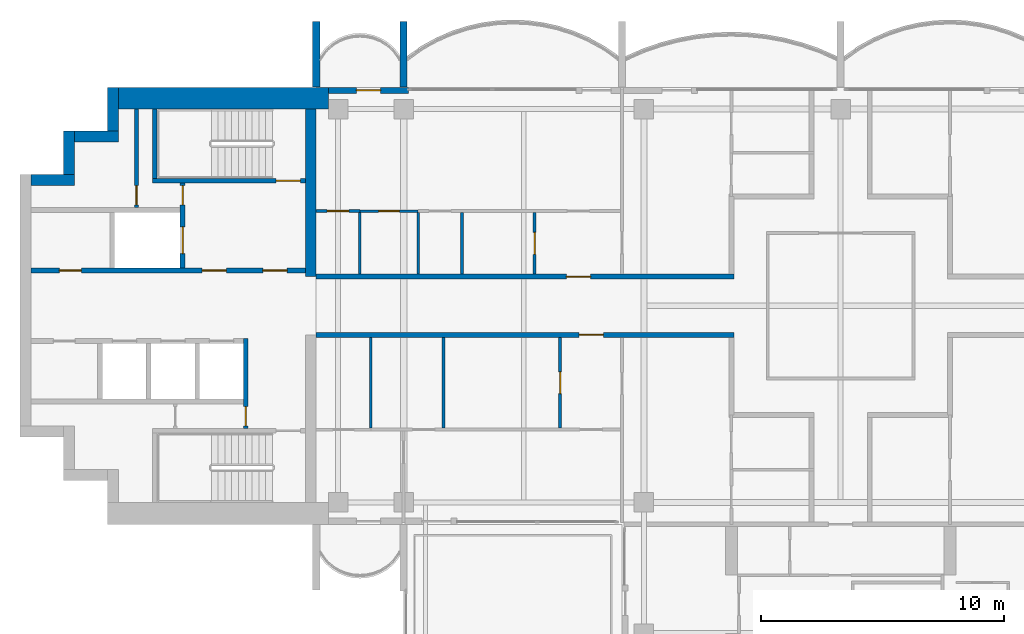
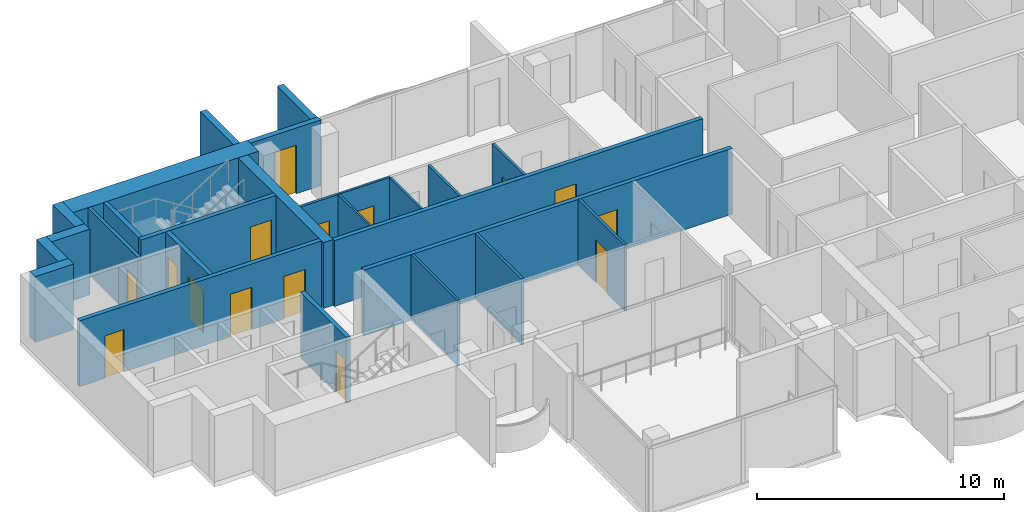
# One storey, part 8 of 16: 26 walls, 15 doors, 15 openings.
"""IFC4 building model written with IfcOpenShell, lengths in metres."""

from ifc_helpers import new_model, si_unit, direction, frame, frame_2d, origin, place, context, subcontext, project, spatial, rectangle, extrude, material, layer, layer_set, type_object, element, fill, save


model = new_model("IFC4")

# Units and contexts
model_context = context("Model", 3, precision=1e-05, world=origin(), true_north=direction((0.0, 1.0)))
body_context = subcontext(model_context, "Body", "Model", "MODEL_VIEW")
ifc_project = project(units=[si_unit("LENGTHUNIT", "METRE"), si_unit("AREAUNIT", "SQUARE_METRE"), si_unit("VOLUMEUNIT", "CUBIC_METRE"), si_unit("PLANEANGLEUNIT", "RADIAN"), si_unit("MASSUNIT", "GRAM", prefix="KILO")], contexts=[model_context])

# Site, building, storey
site_placement = place(None, origin())
site = spatial("IfcSite", under=ifc_project, at=site_placement, CompositionType="ELEMENT")
building_placement = place(site_placement, origin())
building = spatial("IfcBuilding", under=site, at=building_placement, Name="Perihelion Cross Residences", CompositionType="ELEMENT")
storey_placement = place(building_placement, frame((0.0, 0.0, 243.0)))
storey = spatial("IfcBuildingStorey", under=building, at=storey_placement, Name="L61", CompositionType="ELEMENT", Elevation=243.0)

# Wall, opening, door
ifc_material_1 = material(Name="Plasterboard partition")
ifc_layer_1 = layer(ifc_material_1, 0.199951171875)
ifc_layer_set_1 = layer_set([ifc_layer_1], Name="Apartment separation wall 200")
wall_type_1 = type_object("IfcWallType", Name="Apartment separation wall 200", PredefinedType="PARTITIONING", material=ifc_layer_set_1)
wall_1_placement = place(storey_placement, frame((-21.60009765625, 1.199951171875, 0.0), z_axis=(0.0, 0.0, 1.0), x_axis=(1.0, 0.0, 0.0)))
wall_1 = element("IfcWall", 1, at=wall_1_placement, inside=storey, type_object=wall_type_1, Name="Partition L61 W013", PredefinedType="PARTITIONING", context=body_context, shape_type="SweptSolid", body=[
    extrude(rectangle(XDim=17.2001953125, YDim=0.199951171875, at=frame_2d((8.60009765625, 0.0))), origin(), (0.0, 0.0, 1.0), 3.25),
])
opening_1_placement = place(wall_1_placement, frame((10.300048828125, 0.0, 0.0)))
opening_1 = element("IfcOpeningElement", 2, at=opening_1_placement, cuts=wall_1, Name="Opening L61.A40", PredefinedType="OPENING", context=body_context, shape_type="SweptSolid", body=[
    extrude(rectangle(XDim=1.0, YDim=2.10009765625, at=frame_2d((0.5, 1.050048828125))), frame((0.0, 0.10986328125, 0.0), z_axis=(0.0, -1.0, 0.0), x_axis=(1.0, 0.0, 0.0)), (0.0, 0.0, 1.0), 0.219970703125),
])
ifc_material_2 = material(Name="Timber door leaf", Category="wood")
door_type_1 = type_object("IfcDoorType", Name="Flat entrance door 1000 x 2100", OperationType="SINGLE_SWING_LEFT", PredefinedType="DOOR", material=ifc_material_2)
door_1_placement = place(opening_1_placement, origin())
door_1 = element("IfcDoor", 3, at=door_1_placement, inside=storey, type_object=door_type_1, Name="Door L61.A40", OperationType="SINGLE_SWING_RIGHT", OverallHeight=2.10009765625, OverallWidth=1.0, PredefinedType="DOOR", context=body_context, shape_type="SweptSolid", body=[
    extrude(rectangle(XDim=1.0, YDim=2.10009765625, at=frame_2d((0.5, 1.050048828125))), frame((0.0, 0.02490234375, 0.0), z_axis=(0.0, -1.0, 0.0), x_axis=(1.0, 0.0, 0.0)), (0.0, 0.0, 1.0), 0.050048828125),
])
fill(opening_1, door_1)

wall_2_placement = place(storey_placement, frame((-4.39990234375, -1.199951171875, 0.0), z_axis=(0.0, 0.0, 1.0), x_axis=(-1.0, 0.0, 0.0)))
wall_2 = element("IfcWall", 4, at=wall_2_placement, inside=storey, type_object=wall_type_1, Name="Partition L61 W017", PredefinedType="PARTITIONING", context=body_context, shape_type="SweptSolid", body=[
    extrude(rectangle(XDim=17.2001953125, YDim=0.199951171875, at=frame_2d((8.60009765625, 0.0))), origin(), (0.0, 0.0, 1.0), 3.25),
])
opening_2_placement = place(wall_2_placement, frame((5.375, 0.0, 0.0)))
opening_2 = element("IfcOpeningElement", 5, at=opening_2_placement, cuts=wall_2, Name="Opening L61.A41", PredefinedType="OPENING", context=body_context, shape_type="SweptSolid", body=[
    extrude(rectangle(XDim=1.0, YDim=2.10009765625, at=frame_2d((0.5, 1.050048828125))), frame((0.0, 0.10986328125, 0.0), z_axis=(0.0, -1.0, 0.0), x_axis=(1.0, 0.0, 0.0)), (0.0, 0.0, 1.0), 0.219970703125),
])
door_2_placement = place(opening_2_placement, origin())
door_2 = element("IfcDoor", 6, at=door_2_placement, inside=storey, type_object=door_type_1, Name="Door L61.A41", OperationType="SINGLE_SWING_RIGHT", OverallHeight=2.10009765625, OverallWidth=1.0, PredefinedType="DOOR", context=body_context, shape_type="SweptSolid", body=[
    extrude(rectangle(XDim=1.0, YDim=2.10009765625, at=frame_2d((0.5, 1.050048828125))), frame((0.0, 0.02490234375, 0.0), z_axis=(0.0, -1.0, 0.0), x_axis=(1.0, 0.0, 0.0)), (0.0, 0.0, 1.0), 0.050048828125),
])
fill(opening_2, door_2)

ifc_material_3 = material(Name="Concrete C30/37, bronze-clad", Category="concrete")
ifc_layer_2 = layer(ifc_material_3, 0.25)
ifc_layer_set_2 = layer_set([ifc_layer_2], Name="Bronze-clad pier wall 250")
wall_type_2 = type_object("IfcWallType", Name="Bronze-clad pier wall 250", PredefinedType="SOLIDWALL", material=ifc_layer_set_2)
wall_3_placement = place(storey_placement, frame((-17.800048828125, 8.875, 0.0), z_axis=(0.0, 0.0, 1.0), x_axis=(-1.0, 0.0, 0.0)))
wall_3 = element("IfcWall", 7, at=wall_3_placement, inside=storey, type_object=wall_type_2, Name="Wall FW1 L61 west side north bay 2 pier", PredefinedType="SOLIDWALL", context=body_context, shape_type="SweptSolid", body=[
    extrude(rectangle(XDim=3.300048828125, YDim=0.25, at=frame_2d((1.64990234375, 0.0))), origin(), (0.0, 0.0, 1.0), 3.25),
])
opening_3_placement = place(wall_3_placement, frame((1.14990234375, 0.0, 0.0)))
opening_3 = element("IfcOpeningElement", 8, at=opening_3_placement, cuts=wall_3, Name="Opening L61.E06", PredefinedType="OPENING", context=body_context, shape_type="SweptSolid", body=[
    extrude(rectangle(XDim=1.0, YDim=2.39990234375, at=frame_2d((0.5, 1.199951171875))), frame((0.0, 0.135009765625, 0.0), z_axis=(0.0, -1.0, 0.0), x_axis=(1.0, 0.0, 0.0)), (0.0, 0.0, 1.0), 0.27001953125),
])
ifc_material_4 = material(Name="Bronze anodised aluminium, glazed", Category="aluminium")
door_type_2 = type_object("IfcDoorType", Name="Balcony door 1000 x 2400", OperationType="NOTDEFINED", PredefinedType="DOOR", material=ifc_material_4)
door_3_placement = place(opening_3_placement, origin())
door_3 = element("IfcDoor", 9, at=door_3_placement, inside=storey, type_object=door_type_2, Name="Door L61.E06 west side north bay 2", OperationType="SINGLE_SWING_RIGHT", OverallHeight=2.39990234375, OverallWidth=1.0, PredefinedType="DOOR", context=body_context, shape_type="SweptSolid", body=[
    extrude(rectangle(XDim=1.0, YDim=2.39990234375, at=frame_2d((0.5, 1.199951171875))), frame((0.0, 0.02490234375, 0.0), z_axis=(0.0, -1.0, 0.0), x_axis=(1.0, 0.0, 0.0)), (0.0, 0.0, 1.0), 0.050048828125),
])
fill(opening_3, door_3)

# Walls
ifc_material_5 = material(Name="Concrete C60/75", Category="concrete")
ifc_layer_3 = layer(ifc_material_5, 0.449951171875)
ifc_layer_set_3 = layer_set([ifc_layer_3], Name="Core wall, inner 450")
wall_type_3 = type_object("IfcWallType", Name="Core wall, inner 450", PredefinedType="SHEAR", material=ifc_layer_set_3)
wall_4_placement = place(storey_placement, frame((-21.824951171875, 1.199951171875, 0.0), z_axis=(0.0, 0.0, 1.0), x_axis=(0.0, 1.0, 0.0)))
element("IfcWall", 10, at=wall_4_placement, inside=storey, type_object=wall_type_3, Name="West core core wall, inner", PredefinedType="SHEAR", context=body_context, shape_type="SweptSolid", body=[
    extrude(rectangle(XDim=6.900146484375, YDim=0.449951171875, at=frame_2d((3.4501953125, 0.0))), origin(), (0.0, 0.0, 1.0), 3.25),
])
ifc_material_6 = material(Name="Concrete C60/75", Category="concrete")
ifc_layer_4 = layer(ifc_material_6, 0.449951171875)
ifc_layer_set_4 = layer_set([ifc_layer_4], Name="Core wall, outer 450")
wall_type_4 = type_object("IfcWallType", Name="Core wall, outer 450", PredefinedType="SHEAR", material=ifc_layer_set_4)
for number, where, z_axis, x_axis, name in (
    (11, (-33.35009765625, 5.175048828125, 0.0), (0.0, 0.0, 1.0), (1.0, 0.0, 0.0), "West core core wall, outer"),
    (12, (-31.77490234375, 5.39990234375, 0.0), (0.0, 0.0, 1.0), (0.0, 1.0, 0.0), "West core core wall, outer"),
    (13, (-31.550048828125, 6.97509765625, 0.0), (0.0, 0.0, 1.0), (1.0, 0.0, 0.0), "West core core wall, outer"),
    (14, (-29.97509765625, 7.199951171875, 0.0), (0.0, 0.0, 1.0), (0.0, 1.0, 0.0), "West core core wall, outer"),
):
    element("IfcWall", number, at=place(storey_placement, frame(where, z_axis=z_axis, x_axis=x_axis)), inside=storey, type_object=wall_type_4, Name=name, PredefinedType="SHEAR", context=body_context, shape_type="SweptSolid", body=[
        extrude(rectangle(XDim=1.800048828125, YDim=0.449951171875, at=frame_2d((0.89990234375, 0.0))), origin(), (0.0, 0.0, 1.0), 3.25),
    ])
ifc_material_7 = material(Name="Concrete C60/75", Category="concrete")
ifc_layer_5 = layer(ifc_material_7, 0.89990234375)
ifc_layer_set_5 = layer_set([ifc_layer_5], Name="Core wall, outer 900")
wall_type_5 = type_object("IfcWallType", Name="Core wall, outer 900", PredefinedType="SHEAR", material=ifc_layer_set_5)
wall_5_placement = place(storey_placement, frame((-29.75, 8.550048828125, 0.0), z_axis=(0.0, 0.0, 1.0), x_axis=(1.0, 0.0, 0.0)))
element("IfcWall", 15, at=wall_5_placement, inside=storey, type_object=wall_type_5, Name="West core core wall, outer", PredefinedType="SHEAR", context=body_context, shape_type="SweptSolid", body=[
    extrude(rectangle(XDim=8.64990234375, YDim=0.89990234375, at=frame_2d((4.324951171875, 0.0))), origin(), (0.0, 0.0, 1.0), 3.25),
])

# Wall, opening, door
ifc_material_8 = material(Name="Concrete C50/60", Category="concrete")
ifc_layer_6 = layer(ifc_material_8, 0.199951171875)
ifc_layer_set_6 = layer_set([ifc_layer_6], Name="Lobby wall 200")
wall_type_6 = type_object("IfcWallType", Name="Lobby wall 200", PredefinedType="SOLIDWALL", material=ifc_layer_set_6)
wall_6_placement = place(storey_placement, frame((-24.5, -5.050048828125, 0.0), z_axis=(0.0, 0.0, 1.0), x_axis=(0.0, 1.0, 0.0)))
wall_6 = element("IfcWall", 16, at=wall_6_placement, inside=storey, type_object=wall_type_6, Name="West core lobby wall", PredefinedType="SOLIDWALL", context=body_context, shape_type="SweptSolid", body=[
    extrude(rectangle(XDim=3.699951171875, YDim=0.199951171875, at=frame_2d((1.85009765625, 0.0))), origin(), (0.0, 0.0, 1.0), 3.25),
])
opening_4_placement = place(wall_6_placement, frame((0.10009765625, 0.0, 0.0)))
opening_4 = element("IfcOpeningElement", 17, at=opening_4_placement, cuts=wall_6, Name="Opening L61.C22", PredefinedType="OPENING", context=body_context, shape_type="SweptSolid", body=[
    extrude(rectangle(XDim=0.800048828125, YDim=2.10009765625, at=frame_2d((0.39990234375, 1.050048828125))), frame((0.0, 0.10986328125, 0.0), z_axis=(0.0, -1.0, 0.0), x_axis=(1.0, 0.0, 0.0)), (0.0, 0.0, 1.0), 0.219970703125),
])
ifc_material_9 = material(Name="Steel, powder coated", Category="steel")
door_type_3 = type_object("IfcDoorType", Name="Riser door 800", OperationType="SINGLE_SWING_LEFT", PredefinedType="DOOR", material=ifc_material_9)
door_4_placement = place(opening_4_placement, origin())
door_4 = element("IfcDoor", 18, at=door_4_placement, inside=storey, type_object=door_type_3, Name="West core riser door", OperationType="SINGLE_SWING_LEFT", OverallHeight=2.10009765625, OverallWidth=0.800048828125, PredefinedType="DOOR", context=body_context, shape_type="SweptSolid", body=[
    extrude(rectangle(XDim=0.800048828125, YDim=2.10009765625, at=frame_2d((0.39990234375, 1.050048828125))), frame((0.0, 0.02490234375, 0.0), z_axis=(0.0, -1.0, 0.0), x_axis=(1.0, 0.0, 0.0)), (0.0, 0.0, 1.0), 0.050048828125),
])
fill(opening_4, door_4)

ifc_material_10 = material(Name="Plasterboard partition")
ifc_layer_7 = layer(ifc_material_10, 0.1201171875)
ifc_layer_set_7 = layer_set([ifc_layer_7], Name="Partition wall 120")
wall_type_7 = type_object("IfcWallType", Name="Partition wall 120", PredefinedType="PARTITIONING", material=ifc_layer_set_7)
wall_7_placement = place(storey_placement, frame((-12.60009765625, 1.300048828125, 0.0), z_axis=(0.0, 0.0, 1.0), x_axis=(0.0, 1.0, 0.0)))
wall_7 = element("IfcWall", 19, at=wall_7_placement, inside=storey, type_object=wall_type_7, Name="Partition L61 W040", PredefinedType="PARTITIONING", context=body_context, shape_type="SweptSolid", body=[
    extrude(rectangle(XDim=2.5400390625, YDim=0.1201171875, at=frame_2d((1.27001953125, 0.0))), origin(), (0.0, 0.0, 1.0), 3.25),
])
opening_5_placement = place(wall_7_placement, frame((0.820068359375, 0.0, 0.0)))
opening_5 = element("IfcOpeningElement", 20, at=opening_5_placement, cuts=wall_7, Name="Opening L61.A18", PredefinedType="OPENING", context=body_context, shape_type="SweptSolid", body=[
    extrude(rectangle(XDim=0.89990234375, YDim=2.10009765625, at=frame_2d((0.449951171875, 1.050048828125))), frame((0.0, 0.070068359375, 0.0), z_axis=(0.0, -1.0, 0.0), x_axis=(1.0, 0.0, 0.0)), (0.0, 0.0, 1.0), 0.14013671875),
])
ifc_material_11 = material(Name="Timber door leaf", Category="wood")
door_type_4 = type_object("IfcDoorType", Name="Interior room door 900 x 2100", OperationType="SINGLE_SWING_LEFT", PredefinedType="DOOR", material=ifc_material_11)
door_5_placement = place(opening_5_placement, origin())
door_5 = element("IfcDoor", 21, at=door_5_placement, inside=storey, type_object=door_type_4, Name="Door L61.A18", OperationType="SINGLE_SWING_RIGHT", OverallHeight=2.10009765625, OverallWidth=0.89990234375, PredefinedType="DOOR", context=body_context, shape_type="SweptSolid", body=[
    extrude(rectangle(XDim=0.89990234375, YDim=2.10009765625, at=frame_2d((0.449951171875, 1.050048828125))), frame((0.0, 0.02490234375, 0.0), z_axis=(0.0, -1.0, 0.0), x_axis=(1.0, 0.0, 0.0)), (0.0, 0.0, 1.0), 0.050048828125),
])
fill(opening_5, door_5)

# Wall
wall_8_placement = place(storey_placement, frame((-15.60009765625, 1.300048828125, 0.0), z_axis=(0.0, 0.0, 1.0), x_axis=(0.0, 1.0, 0.0)))
element("IfcWall", 22, at=wall_8_placement, inside=storey, type_object=wall_type_7, Name="Partition L61 W043", PredefinedType="PARTITIONING", context=body_context, shape_type="SweptSolid", body=[
    extrude(rectangle(XDim=2.5400390625, YDim=0.1201171875, at=frame_2d((1.27001953125, 0.0))), origin(), (0.0, 0.0, 1.0), 3.25),
])

# Wall, opening, door
wall_9_placement = place(storey_placement, frame((-21.60009765625, 3.89990234375, 0.0), z_axis=(0.0, 0.0, 1.0), x_axis=(1.0, 0.0, 0.0)))
wall_9 = element("IfcWall", 23, at=wall_9_placement, inside=storey, type_object=wall_type_7, Name="Partition L61 W047", PredefinedType="PARTITIONING", context=body_context, shape_type="SweptSolid", body=[
    extrude(rectangle(XDim=1.800048828125, YDim=0.1201171875, at=frame_2d((0.89990234375, 0.0))), origin(), (0.0, 0.0, 1.0), 3.25),
])
opening_6_placement = place(wall_9_placement, frame((0.449951171875, 0.0, 0.0)))
opening_6 = element("IfcOpeningElement", 24, at=opening_6_placement, cuts=wall_9, Name="Opening L61.A17", PredefinedType="OPENING", context=body_context, shape_type="SweptSolid", body=[
    extrude(rectangle(XDim=0.89990234375, YDim=2.10009765625, at=frame_2d((0.449951171875, 1.050048828125))), frame((0.0, 0.070068359375, 0.0), z_axis=(0.0, -1.0, 0.0), x_axis=(1.0, 0.0, 0.0)), (0.0, 0.0, 1.0), 0.14013671875),
])
door_6_placement = place(opening_6_placement, origin())
door_6 = element("IfcDoor", 25, at=door_6_placement, inside=storey, type_object=door_type_4, Name="Door L61.A17", OperationType="SINGLE_SWING_RIGHT", OverallHeight=2.10009765625, OverallWidth=0.89990234375, PredefinedType="DOOR", context=body_context, shape_type="SweptSolid", body=[
    extrude(rectangle(XDim=0.89990234375, YDim=2.10009765625, at=frame_2d((0.449951171875, 1.050048828125))), frame((0.0, 0.02490234375, 0.0), z_axis=(0.0, -1.0, 0.0), x_axis=(1.0, 0.0, 0.0)), (0.0, 0.0, 1.0), 0.050048828125),
])
fill(opening_6, door_6)

wall_10_placement = place(storey_placement, frame((-11.550048828125, -5.0400390625, 0.0), z_axis=(0.0, 0.0, 1.0), x_axis=(0.0, 1.0, 0.0)))
wall_10 = element("IfcWall", 26, at=wall_10_placement, inside=storey, type_object=wall_type_7, Name="Partition L61 W051", PredefinedType="PARTITIONING", context=body_context, shape_type="SweptSolid", body=[
    extrude(rectangle(XDim=3.739990234375, YDim=0.1201171875, at=frame_2d((1.8701171875, 0.0))), origin(), (0.0, 0.0, 1.0), 3.25),
])
opening_7_placement = place(wall_10_placement, frame((1.419921875, 0.0, 0.0)))
opening_7 = element("IfcOpeningElement", 27, at=opening_7_placement, cuts=wall_10, Name="Opening L61.A27", PredefinedType="OPENING", context=body_context, shape_type="SweptSolid", body=[
    extrude(rectangle(XDim=0.89990234375, YDim=2.10009765625, at=frame_2d((0.449951171875, 1.050048828125))), frame((0.0, 0.070068359375, 0.0), z_axis=(0.0, -1.0, 0.0), x_axis=(1.0, 0.0, 0.0)), (0.0, 0.0, 1.0), 0.14013671875),
])
door_7_placement = place(opening_7_placement, origin())
door_7 = element("IfcDoor", 28, at=door_7_placement, inside=storey, type_object=door_type_4, Name="Door L61.A27", OperationType="SINGLE_SWING_RIGHT", OverallHeight=2.10009765625, OverallWidth=0.89990234375, PredefinedType="DOOR", context=body_context, shape_type="SweptSolid", body=[
    extrude(rectangle(XDim=0.89990234375, YDim=2.10009765625, at=frame_2d((0.449951171875, 1.050048828125))), frame((0.0, 0.02490234375, 0.0), z_axis=(0.0, -1.0, 0.0), x_axis=(1.0, 0.0, 0.0)), (0.0, 0.0, 1.0), 0.050048828125),
])
fill(opening_7, door_7)

# Walls
wall_11_placement = place(storey_placement, frame((-16.35009765625, -5.0400390625, 0.0), z_axis=(0.0, 0.0, 1.0), x_axis=(0.0, 1.0, 0.0)))
element("IfcWall", 29, at=wall_11_placement, inside=storey, type_object=wall_type_7, Name="Partition L61 W054", PredefinedType="PARTITIONING", context=body_context, shape_type="SweptSolid", body=[
    extrude(rectangle(XDim=3.739990234375, YDim=0.1201171875, at=frame_2d((1.8701171875, 0.0))), origin(), (0.0, 0.0, 1.0), 3.25),
])
ifc_material_12 = material(Name="Precast concrete C50/60", Category="concrete")
ifc_layer_8 = layer(ifc_material_12, 0.300048828125)
ifc_layer_set_8 = layer_set([ifc_layer_8], Name="Precast concrete C50/60 blade wall 300")
wall_type_8 = type_object("IfcWallType", Name="Precast concrete C50/60 blade wall 300", PredefinedType="SOLIDWALL", material=ifc_layer_set_8)
for number, where, z_axis, x_axis, name in (
    (30, (-21.60009765625, 9.0, 0.0), (0.0, 0.0, 1.0), (0.0, 1.0, 0.0), "Wall BL1 L61 no. 4"),
    (31, (-18.0, 9.0, 0.0), (0.0, 0.0, 1.0), (0.0, 1.0, 0.0), "Wall BL1 L61 no. 2"),
):
    element("IfcWall", number, at=place(storey_placement, frame(where, z_axis=z_axis, x_axis=x_axis)), inside=storey, type_object=wall_type_8, Name=name, PredefinedType="SOLIDWALL", context=body_context, shape_type="SweptSolid", body=[
        extrude(rectangle(XDim=2.699951171875, YDim=0.300048828125, at=frame_2d((1.35009765625, 0.0))), origin(), (0.0, 0.0, 1.0), 3.25),
    ])

# Wall, opening, door
ifc_material_13 = material(Name="Fire-rated board on steel stud", Category="steel")
ifc_layer_9 = layer(ifc_material_13, 0.14990234375)
ifc_layer_set_9 = layer_set([ifc_layer_9], Name="Riser wall 150")
wall_type_9 = type_object("IfcWallType", Name="Riser wall 150", PredefinedType="PARTITIONING", material=ifc_layer_set_9)
wall_12_placement = place(storey_placement, frame((-29.0, 4.050048828125, 0.0), z_axis=(0.0, 0.0, 1.0), x_axis=(0.0, 1.0, 0.0)))
wall_12 = element("IfcWall", 32, at=wall_12_placement, inside=storey, type_object=wall_type_9, Name="West core riser wall", PredefinedType="PARTITIONING", context=body_context, shape_type="SweptSolid", body=[
    extrude(rectangle(XDim=4.050048828125, YDim=0.14990234375, at=frame_2d((2.02490234375, 0.0))), origin(), (0.0, 0.0, 1.0), 3.25),
])
opening_8_placement = place(wall_12_placement, frame((0.10009765625, 0.0, 0.0)))
opening_8 = element("IfcOpeningElement", 33, at=opening_8_placement, cuts=wall_12, Name="Opening L61.C26", PredefinedType="OPENING", context=body_context, shape_type="SweptSolid", body=[
    extrude(rectangle(XDim=0.800048828125, YDim=2.10009765625, at=frame_2d((0.39990234375, 1.050048828125))), frame((0.0, 0.0849609375, 0.0), z_axis=(0.0, -1.0, 0.0), x_axis=(1.0, 0.0, 0.0)), (0.0, 0.0, 1.0), 0.169921875),
])
door_8_placement = place(opening_8_placement, origin())
door_8 = element("IfcDoor", 34, at=door_8_placement, inside=storey, type_object=door_type_3, Name="West core riser door", OperationType="SINGLE_SWING_LEFT", OverallHeight=2.10009765625, OverallWidth=0.800048828125, PredefinedType="DOOR", context=body_context, shape_type="SweptSolid", body=[
    extrude(rectangle(XDim=0.800048828125, YDim=2.10009765625, at=frame_2d((0.39990234375, 1.050048828125))), frame((0.0, 0.02490234375, 0.0), z_axis=(0.0, -1.0, 0.0), x_axis=(1.0, 0.0, 0.0)), (0.0, 0.0, 1.0), 0.050048828125),
])
fill(opening_8, door_8)

# Wall, openings, doors
ifc_material_14 = material(Name="Concrete C50/60", Category="concrete")
ifc_layer_10 = layer(ifc_material_14, 0.199951171875)
ifc_layer_set_10 = layer_set([ifc_layer_10], Name="Shaft wall 200")
wall_type_10 = type_object("IfcWallType", Name="Shaft wall 200", PredefinedType="SOLIDWALL", material=ifc_layer_set_10)
wall_13_placement = place(storey_placement, frame((-33.35009765625, 1.449951171875, 0.0), z_axis=(0.0, 0.0, 1.0), x_axis=(1.0, 0.0, 0.0)))
wall_13 = element("IfcWall", 35, at=wall_13_placement, inside=storey, type_object=wall_type_10, Name="West core shaft wall", PredefinedType="SOLIDWALL", context=body_context, shape_type="SweptSolid", body=[
    extrude(rectangle(XDim=11.300048828125, YDim=0.199951171875, at=frame_2d((5.64990234375, 0.0))), origin(), (0.0, 0.0, 1.0), 3.25),
])
opening_9_placement = place(wall_13_placement, frame((9.550048828125, 0.0, 0.0)))
opening_9 = element("IfcOpeningElement", 36, at=opening_9_placement, cuts=wall_13, Name="Opening L61.C21", PredefinedType="OPENING", context=body_context, shape_type="SweptSolid", body=[
    extrude(rectangle(XDim=1.0, YDim=2.10009765625, at=frame_2d((0.5, 1.050048828125))), frame((0.0, 0.10986328125, 0.0), z_axis=(0.0, -1.0, 0.0), x_axis=(1.0, 0.0, 0.0)), (0.0, 0.0, 1.0), 0.219970703125),
])
opening_10_placement = place(wall_13_placement, frame((7.050048828125, 0.0, 0.0)))
opening_10 = element("IfcOpeningElement", 37, at=opening_10_placement, cuts=wall_13, Name="Opening L61.C23", PredefinedType="OPENING", context=body_context, shape_type="SweptSolid", body=[
    extrude(rectangle(XDim=1.0, YDim=2.10009765625, at=frame_2d((0.5, 1.050048828125))), frame((0.0, 0.10986328125, 0.0), z_axis=(0.0, -1.0, 0.0), x_axis=(1.0, 0.0, 0.0)), (0.0, 0.0, 1.0), 0.219970703125),
])
opening_11_placement = place(wall_13_placement, frame((1.175048828125, 0.0, 0.0)))
opening_11 = element("IfcOpeningElement", 38, at=opening_11_placement, cuts=wall_13, Name="Opening L61.C27", PredefinedType="OPENING", context=body_context, shape_type="SweptSolid", body=[
    extrude(rectangle(XDim=0.89990234375, YDim=2.10009765625, at=frame_2d((0.449951171875, 1.050048828125))), frame((0.0, 0.10986328125, 0.0), z_axis=(0.0, -1.0, 0.0), x_axis=(1.0, 0.0, 0.0)), (0.0, 0.0, 1.0), 0.219970703125),
])
ifc_material_15 = material(Name="Steel, powder coated", Category="steel")
door_type_5 = type_object("IfcDoorType", Name="Lobby door 1000", OperationType="SINGLE_SWING_LEFT", PredefinedType="DOOR", material=ifc_material_15)
door_9_placement = place(opening_9_placement, origin())
door_9 = element("IfcDoor", 39, at=door_9_placement, inside=storey, type_object=door_type_5, Name="West core firefighting lobby door", OperationType="SINGLE_SWING_LEFT", OverallHeight=2.10009765625, OverallWidth=1.0, PredefinedType="DOOR", context=body_context, shape_type="SweptSolid", body=[
    extrude(rectangle(XDim=1.0, YDim=2.10009765625, at=frame_2d((0.5, 1.050048828125))), frame((0.0, 0.02490234375, 0.0), z_axis=(0.0, -1.0, 0.0), x_axis=(1.0, 0.0, 0.0)), (0.0, 0.0, 1.0), 0.050048828125),
])
fill(opening_9, door_9)
door_10_placement = place(opening_10_placement, origin())
door_10 = element("IfcDoor", 40, at=door_10_placement, inside=storey, type_object=door_type_5, Name="West core firefighting lobby door", OperationType="SINGLE_SWING_LEFT", OverallHeight=2.10009765625, OverallWidth=1.0, PredefinedType="DOOR", context=body_context, shape_type="SweptSolid", body=[
    extrude(rectangle(XDim=1.0, YDim=2.10009765625, at=frame_2d((0.5, 1.050048828125))), frame((0.0, 0.02490234375, 0.0), z_axis=(0.0, -1.0, 0.0), x_axis=(1.0, 0.0, 0.0)), (0.0, 0.0, 1.0), 0.050048828125),
])
fill(opening_10, door_10)
ifc_material_16 = material(Name="Steel, powder coated", Category="steel")
door_type_6 = type_object("IfcDoorType", Name="Service room door 900", OperationType="SINGLE_SWING_LEFT", PredefinedType="DOOR", material=ifc_material_16)
door_11_placement = place(opening_11_placement, origin())
door_11 = element("IfcDoor", 41, at=door_11_placement, inside=storey, type_object=door_type_6, Name="West core service room door", OperationType="SINGLE_SWING_LEFT", OverallHeight=2.10009765625, OverallWidth=0.89990234375, PredefinedType="DOOR", context=body_context, shape_type="SweptSolid", body=[
    extrude(rectangle(XDim=0.89990234375, YDim=2.10009765625, at=frame_2d((0.449951171875, 1.050048828125))), frame((0.0, 0.02490234375, 0.0), z_axis=(0.0, -1.0, 0.0), x_axis=(1.0, 0.0, 0.0)), (0.0, 0.0, 1.0), 0.050048828125),
])
fill(opening_11, door_11)

wall_14_placement = place(storey_placement, frame((-27.10009765625, 1.550048828125, 0.0), z_axis=(0.0, 0.0, 1.0), x_axis=(0.0, 1.0, 0.0)))
wall_14 = element("IfcWall", 42, at=wall_14_placement, inside=storey, type_object=wall_type_10, Name="West core shaft wall", PredefinedType="SOLIDWALL", context=body_context, shape_type="SweptSolid", body=[
    extrude(rectangle(XDim=3.5, YDim=0.199951171875, at=frame_2d((1.75, 0.0))), origin(), (0.0, 0.0, 1.0), 3.25),
])
opening_12_placement = place(wall_14_placement, frame((0.60009765625, 0.0, 0.0)))
opening_12 = element("IfcOpeningElement", 43, at=opening_12_placement, cuts=wall_14, Name="Opening L61.C16", PredefinedType="OPENING", context=body_context, shape_type="SweptSolid", body=[
    extrude(rectangle(XDim=1.10009765625, YDim=2.10009765625, at=frame_2d((0.550048828125, 1.050048828125))), frame((0.0, 0.10986328125, 0.0), z_axis=(0.0, -1.0, 0.0), x_axis=(1.0, 0.0, 0.0)), (0.0, 0.0, 1.0), 0.219970703125),
])
opening_13_placement = place(wall_14_placement, frame((2.60009765625, 0.0, 0.0)))
opening_13 = element("IfcOpeningElement", 44, at=opening_13_placement, cuts=wall_14, Name="Opening L61.C24", PredefinedType="OPENING", context=body_context, shape_type="SweptSolid", body=[
    extrude(rectangle(XDim=0.800048828125, YDim=2.10009765625, at=frame_2d((0.39990234375, 1.050048828125))), frame((0.0, 0.10986328125, 0.0), z_axis=(0.0, -1.0, 0.0), x_axis=(1.0, 0.0, 0.0)), (0.0, 0.0, 1.0), 0.219970703125),
])
ifc_material_17 = material(Name="Stainless steel", Category="steel")
door_type_7 = type_object("IfcDoorType", Name="Landing door, firefighting lift 1100", OperationType="DOUBLE_DOOR_SLIDING", PredefinedType="DOOR", material=ifc_material_17)
door_12_placement = place(opening_12_placement, origin())
door_12 = element("IfcDoor", 45, at=door_12_placement, inside=storey, type_object=door_type_7, Name="Landing door, West core firefighting and service lift", OperationType="DOUBLE_DOOR_SLIDING", OverallHeight=2.10009765625, OverallWidth=1.10009765625, PredefinedType="DOOR", context=body_context, shape_type="SweptSolid", body=[
    extrude(rectangle(XDim=1.10009765625, YDim=2.10009765625, at=frame_2d((0.550048828125, 1.050048828125))), frame((0.0, 0.02490234375, 0.0), z_axis=(0.0, -1.0, 0.0), x_axis=(1.0, 0.0, 0.0)), (0.0, 0.0, 1.0), 0.050048828125),
])
fill(opening_12, door_12)
door_13_placement = place(opening_13_placement, origin())
door_13 = element("IfcDoor", 46, at=door_13_placement, inside=storey, type_object=door_type_3, Name="West core riser door", OperationType="SINGLE_SWING_LEFT", OverallHeight=2.10009765625, OverallWidth=0.800048828125, PredefinedType="DOOR", context=body_context, shape_type="SweptSolid", body=[
    extrude(rectangle(XDim=0.800048828125, YDim=2.10009765625, at=frame_2d((0.39990234375, 1.050048828125))), frame((0.0, 0.02490234375, 0.0), z_axis=(0.0, -1.0, 0.0), x_axis=(1.0, 0.0, 0.0)), (0.0, 0.0, 1.0), 0.050048828125),
])
fill(opening_13, door_13)

# Wall, opening, door
ifc_material_18 = material(Name="Concrete C50/60", Category="concrete")
ifc_layer_11 = layer(ifc_material_18, 0.199951171875)
ifc_layer_set_11 = layer_set([ifc_layer_11], Name="Stair wall 200")
wall_type_11 = type_object("IfcWallType", Name="Stair wall 200", PredefinedType="SOLIDWALL", material=ifc_layer_set_11)
wall_15_placement = place(storey_placement, frame((-28.35009765625, 5.14990234375, 0.0), z_axis=(0.0, 0.0, 1.0), x_axis=(1.0, 0.0, 0.0)))
wall_15 = element("IfcWall", 47, at=wall_15_placement, inside=storey, type_object=wall_type_11, Name="West core stair wall", PredefinedType="SOLIDWALL", context=body_context, shape_type="SweptSolid", body=[
    extrude(rectangle(XDim=6.300048828125, YDim=0.199951171875, at=frame_2d((3.14990234375, 0.0))), origin(), (0.0, 0.0, 1.0), 3.25),
])
opening_14_placement = place(wall_15_placement, frame((5.10009765625, 0.0, 0.0)))
opening_14 = element("IfcOpeningElement", 48, at=opening_14_placement, cuts=wall_15, Name="Opening L61.C20", PredefinedType="OPENING", context=body_context, shape_type="SweptSolid", body=[
    extrude(rectangle(XDim=1.0, YDim=2.10009765625, at=frame_2d((0.5, 1.050048828125))), frame((0.0, 0.10986328125, 0.0), z_axis=(0.0, -1.0, 0.0), x_axis=(1.0, 0.0, 0.0)), (0.0, 0.0, 1.0), 0.219970703125),
])
ifc_material_19 = material(Name="Steel, powder coated", Category="steel")
door_type_8 = type_object("IfcDoorType", Name="Stair door 1000", OperationType="SINGLE_SWING_LEFT", PredefinedType="DOOR", material=ifc_material_19)
door_14_placement = place(opening_14_placement, origin())
door_14 = element("IfcDoor", 49, at=door_14_placement, inside=storey, type_object=door_type_8, Name="West core stair door", OperationType="SINGLE_SWING_LEFT", OverallHeight=2.10009765625, OverallWidth=1.0, PredefinedType="DOOR", context=body_context, shape_type="SweptSolid", body=[
    extrude(rectangle(XDim=1.0, YDim=2.10009765625, at=frame_2d((0.5, 1.050048828125))), frame((0.0, 0.02490234375, 0.0), z_axis=(0.0, -1.0, 0.0), x_axis=(1.0, 0.0, 0.0)), (0.0, 0.0, 1.0), 0.050048828125),
])
fill(opening_14, door_14)

# Walls
wall_16_placement = place(storey_placement, frame((-28.25, 5.25, 0.0), z_axis=(0.0, 0.0, 1.0), x_axis=(0.0, 1.0, 0.0)))
element("IfcWall", 50, at=wall_16_placement, inside=storey, type_object=wall_type_11, Name="West core stair wall", PredefinedType="SOLIDWALL", context=body_context, shape_type="SweptSolid", body=[
    extrude(rectangle(XDim=2.85009765625, YDim=0.199951171875, at=frame_2d((1.425048828125, 0.0))), origin(), (0.0, 0.0, 1.0), 3.25),
])
ifc_material_20 = material(Name="Plasterboard partition")
ifc_layer_12 = layer(ifc_material_20, 0.10009765625)
ifc_layer_set_12 = layer_set([ifc_layer_12], Name="Wet room wall 100")
wall_type_12 = type_object("IfcWallType", Name="Wet room wall 100", PredefinedType="PARTITIONING", material=ifc_layer_set_12)
for number, where, z_axis, x_axis, name in (
    (51, (-17.39990234375, 1.300048828125, 0.0), (0.0, 0.0, 1.0), (0.0, 1.0, 0.0), "Partition L61 W044"),
    (52, (-19.800048828125, 1.300048828125, 0.0), (0.0, 0.0, 1.0), (0.0, 1.0, 0.0), "Partition L61 W045"),
):
    element("IfcWall", number, at=place(storey_placement, frame(where, z_axis=z_axis, x_axis=x_axis)), inside=storey, type_object=wall_type_12, Name=name, PredefinedType="PARTITIONING", context=body_context, shape_type="SweptSolid", body=[
        extrude(rectangle(XDim=2.5400390625, YDim=0.10009765625, at=frame_2d((1.27001953125, 0.0))), origin(), (0.0, 0.0, 1.0), 3.25),
    ])

# Wall, opening, door
wall_17_placement = place(storey_placement, frame((-19.800048828125, 3.89990234375, 0.0), z_axis=(0.0, 0.0, 1.0), x_axis=(1.0, 0.0, 0.0)))
wall_17 = element("IfcWall", 53, at=wall_17_placement, inside=storey, type_object=wall_type_12, Name="Partition L61 W046", PredefinedType="PARTITIONING", context=body_context, shape_type="SweptSolid", body=[
    extrude(rectangle(XDim=2.400146484375, YDim=0.10009765625, at=frame_2d((1.2001953125, 0.0))), origin(), (0.0, 0.0, 1.0), 3.25),
])
opening_15_placement = place(wall_17_placement, frame((0.77490234375, 0.0, 0.0)))
opening_15 = element("IfcOpeningElement", 54, at=opening_15_placement, cuts=wall_17, Name="Opening L61.A16", PredefinedType="OPENING", context=body_context, shape_type="SweptSolid", body=[
    extrude(rectangle(XDim=0.85009765625, YDim=2.10009765625, at=frame_2d((0.425048828125, 1.050048828125))), frame((0.0, 0.06005859375, 0.0), z_axis=(0.0, -1.0, 0.0), x_axis=(1.0, 0.0, 0.0)), (0.0, 0.0, 1.0), 0.1201171875),
])
ifc_material_21 = material(Name="Timber door leaf", Category="wood")
door_type_9 = type_object("IfcDoorType", Name="Interior bathroom door 850 x 2100", OperationType="SINGLE_SWING_LEFT", PredefinedType="DOOR", material=ifc_material_21)
door_15_placement = place(opening_15_placement, origin())
door_15 = element("IfcDoor", 55, at=door_15_placement, inside=storey, type_object=door_type_9, Name="Door L61.A16", OperationType="SINGLE_SWING_LEFT", OverallHeight=2.10009765625, OverallWidth=0.85009765625, PredefinedType="DOOR", context=body_context, shape_type="SweptSolid", body=[
    extrude(rectangle(XDim=0.85009765625, YDim=2.10009765625, at=frame_2d((0.425048828125, 1.050048828125))), frame((0.0, 0.02490234375, 0.0), z_axis=(0.0, -1.0, 0.0), x_axis=(1.0, 0.0, 0.0)), (0.0, 0.0, 1.0), 0.050048828125),
])
fill(opening_15, door_15)

# Wall
wall_18_placement = place(storey_placement, frame((-19.35009765625, -5.0400390625, 0.0), z_axis=(0.0, 0.0, 1.0), x_axis=(0.0, 1.0, 0.0)))
element("IfcWall", 56, at=wall_18_placement, inside=storey, type_object=wall_type_12, Name="Partition L61 W055", PredefinedType="PARTITIONING", context=body_context, shape_type="SweptSolid", body=[
    extrude(rectangle(XDim=3.739990234375, YDim=0.10009765625, at=frame_2d((1.8701171875, 0.0))), origin(), (0.0, 0.0, 1.0), 3.25),
])

save(model, "model.ifc")
